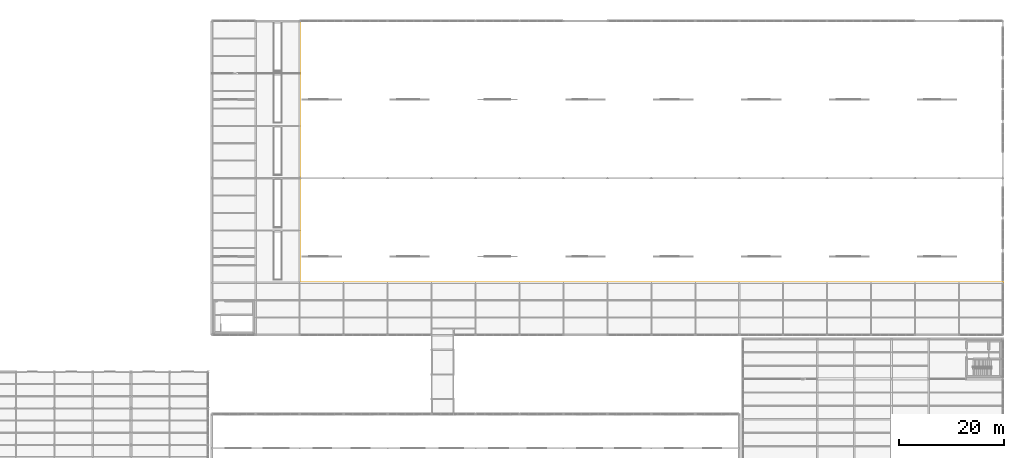
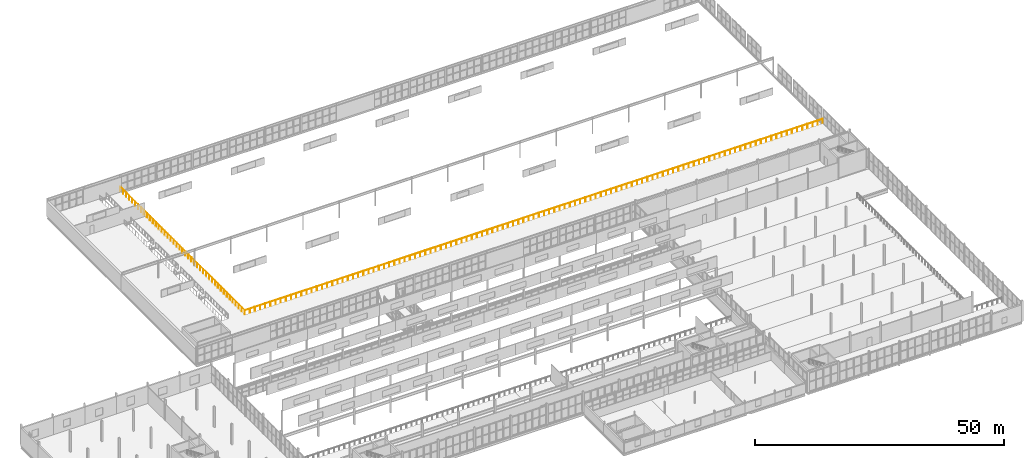
# One storey, part 218 of 218: 1 railing.
"""IFC4 building model written with IfcOpenShell, lengths in metres."""

from ifc_helpers import new_model, si_unit, direction, frame, origin, origin_2d, place, context, subcontext, project, spatial, circle, extrude, material, type_object, element, save


model = new_model("IFC4")

# Units and contexts
model_context = context("Model", 3, precision=1e-05, world=origin(), true_north=direction((0.0, 1.0)))
body_context = subcontext(model_context, "Body", "Model", "MODEL_VIEW")
ifc_project = project(units=[si_unit("LENGTHUNIT", "METRE"), si_unit("AREAUNIT", "SQUARE_METRE"), si_unit("VOLUMEUNIT", "CUBIC_METRE"), si_unit("PLANEANGLEUNIT", "RADIAN"), si_unit("MASSUNIT", "GRAM", prefix="KILO")], contexts=[model_context])

# Site, building, storey
site_placement = place(None, origin())
site = spatial("IfcSite", under=ifc_project, at=site_placement, CompositionType="ELEMENT")
building_placement = place(site_placement, origin())
building = spatial("IfcBuilding", under=site, at=building_placement, Name="Kazenagashi Tramway Depot", CompositionType="ELEMENT")
storey_placement = place(building_placement, frame((0.0, 0.0, 6.0)))
storey = spatial("IfcBuildingStorey", under=building, at=storey_placement, Name="L02", CompositionType="ELEMENT", Elevation=6.0)

# Railing
ifc_material = material(Name="Galvanised Painted Steel Balustrade", Category="steel")
railing_type = type_object("IfcRailingType", Name="GR-01", PredefinedType="GUARDRAIL", material=ifc_material)
railing_placement = place(storey_placement, frame((61.72, 130.0, 0.0)))
element("IfcRailing", 1, at=railing_placement, inside=storey, type_object=railing_type, Name="Pantograph Mezzanine Edge Guardrail", PredefinedType="GUARDRAIL", context=body_context, shape_type="SweptSolid", body=[
    extrude(circle(Radius=0.024, at=origin_2d()), frame((0.0, 0.0, 1.126), z_axis=(0.0, -1.0, 0.0), x_axis=(1.0, 0.0, 0.0)), (0.0, 0.0, 1.0), 50.0),
    extrude(circle(Radius=0.024, at=origin_2d()), frame((0.0, -50.0, 1.126), z_axis=(1.0, 0.0, 0.0), x_axis=(0.0, 1.0, 0.0)), (0.0, 0.0, 1.0), 134.28),
    extrude(circle(Radius=0.021, at=origin_2d()), origin(), (0.0, 0.0, 1.0), 1.102),
    extrude(circle(Radius=0.021, at=origin_2d()), frame((0.0, -1.190476, 0.0)), (0.0, 0.0, 1.0), 1.102),
    extrude(circle(Radius=0.021, at=origin_2d()), frame((0.0, -2.380952, 0.0)), (0.0, 0.0, 1.0), 1.102),
    extrude(circle(Radius=0.021, at=origin_2d()), frame((0.0, -3.571429, 0.0)), (0.0, 0.0, 1.0), 1.102),
    extrude(circle(Radius=0.021, at=origin_2d()), frame((0.0, -4.761905, 0.0)), (0.0, 0.0, 1.0), 1.102),
    extrude(circle(Radius=0.021, at=origin_2d()), frame((0.0, -5.952381, 0.0)), (0.0, 0.0, 1.0), 1.102),
    extrude(circle(Radius=0.021, at=origin_2d()), frame((0.0, -7.142857, 0.0)), (0.0, 0.0, 1.0), 1.102),
    extrude(circle(Radius=0.021, at=origin_2d()), frame((0.0, -8.333333, 0.0)), (0.0, 0.0, 1.0), 1.102),
    extrude(circle(Radius=0.021, at=origin_2d()), frame((0.0, -9.52381, 0.0)), (0.0, 0.0, 1.0), 1.102),
    extrude(circle(Radius=0.021, at=origin_2d()), frame((0.0, -10.714286, 0.0)), (0.0, 0.0, 1.0), 1.102),
    extrude(circle(Radius=0.021, at=origin_2d()), frame((0.0, -11.904762, 0.0)), (0.0, 0.0, 1.0), 1.102),
    extrude(circle(Radius=0.021, at=origin_2d()), frame((0.0, -13.095238, 0.0)), (0.0, 0.0, 1.0), 1.102),
    extrude(circle(Radius=0.021, at=origin_2d()), frame((0.0, -14.285714, 0.0)), (0.0, 0.0, 1.0), 1.102),
    extrude(circle(Radius=0.021, at=origin_2d()), frame((0.0, -15.47619, 0.0)), (0.0, 0.0, 1.0), 1.102),
    extrude(circle(Radius=0.021, at=origin_2d()), frame((0.0, -16.666667, 0.0)), (0.0, 0.0, 1.0), 1.102),
    extrude(circle(Radius=0.021, at=origin_2d()), frame((0.0, -17.857143, 0.0)), (0.0, 0.0, 1.0), 1.102),
    extrude(circle(Radius=0.021, at=origin_2d()), frame((0.0, -19.047619, 0.0)), (0.0, 0.0, 1.0), 1.102),
    extrude(circle(Radius=0.021, at=origin_2d()), frame((0.0, -20.238095, 0.0)), (0.0, 0.0, 1.0), 1.102),
    extrude(circle(Radius=0.021, at=origin_2d()), frame((0.0, -21.428571, 0.0)), (0.0, 0.0, 1.0), 1.102),
    extrude(circle(Radius=0.021, at=origin_2d()), frame((0.0, -22.619048, 0.0)), (0.0, 0.0, 1.0), 1.102),
    extrude(circle(Radius=0.021, at=origin_2d()), frame((0.0, -23.809524, 0.0)), (0.0, 0.0, 1.0), 1.102),
    extrude(circle(Radius=0.021, at=origin_2d()), frame((0.0, -25.0, 0.0)), (0.0, 0.0, 1.0), 1.102),
    extrude(circle(Radius=0.021, at=origin_2d()), frame((0.0, -26.190476, 0.0)), (0.0, 0.0, 1.0), 1.102),
    extrude(circle(Radius=0.021, at=origin_2d()), frame((0.0, -27.380952, 0.0)), (0.0, 0.0, 1.0), 1.102),
    extrude(circle(Radius=0.021, at=origin_2d()), frame((0.0, -28.571429, 0.0)), (0.0, 0.0, 1.0), 1.102),
    extrude(circle(Radius=0.021, at=origin_2d()), frame((0.0, -29.761905, 0.0)), (0.0, 0.0, 1.0), 1.102),
    extrude(circle(Radius=0.021, at=origin_2d()), frame((0.0, -30.952381, 0.0)), (0.0, 0.0, 1.0), 1.102),
    extrude(circle(Radius=0.021, at=origin_2d()), frame((0.0, -32.142857, 0.0)), (0.0, 0.0, 1.0), 1.102),
    extrude(circle(Radius=0.021, at=origin_2d()), frame((0.0, -33.333333, 0.0)), (0.0, 0.0, 1.0), 1.102),
    extrude(circle(Radius=0.021, at=origin_2d()), frame((0.0, -34.52381, 0.0)), (0.0, 0.0, 1.0), 1.102),
    extrude(circle(Radius=0.021, at=origin_2d()), frame((0.0, -35.714286, 0.0)), (0.0, 0.0, 1.0), 1.102),
    extrude(circle(Radius=0.021, at=origin_2d()), frame((0.0, -36.904762, 0.0)), (0.0, 0.0, 1.0), 1.102),
    extrude(circle(Radius=0.021, at=origin_2d()), frame((0.0, -38.095238, 0.0)), (0.0, 0.0, 1.0), 1.102),
    extrude(circle(Radius=0.021, at=origin_2d()), frame((0.0, -39.285714, 0.0)), (0.0, 0.0, 1.0), 1.102),
    extrude(circle(Radius=0.021, at=origin_2d()), frame((0.0, -40.47619, 0.0)), (0.0, 0.0, 1.0), 1.102),
    extrude(circle(Radius=0.021, at=origin_2d()), frame((0.0, -41.666667, 0.0)), (0.0, 0.0, 1.0), 1.102),
    extrude(circle(Radius=0.021, at=origin_2d()), frame((0.0, -42.857143, 0.0)), (0.0, 0.0, 1.0), 1.102),
    extrude(circle(Radius=0.021, at=origin_2d()), frame((0.0, -44.047619, 0.0)), (0.0, 0.0, 1.0), 1.102),
    extrude(circle(Radius=0.021, at=origin_2d()), frame((0.0, -45.238095, 0.0)), (0.0, 0.0, 1.0), 1.102),
    extrude(circle(Radius=0.021, at=origin_2d()), frame((0.0, -46.428571, 0.0)), (0.0, 0.0, 1.0), 1.102),
    extrude(circle(Radius=0.021, at=origin_2d()), frame((0.0, -47.619048, 0.0)), (0.0, 0.0, 1.0), 1.102),
    extrude(circle(Radius=0.021, at=origin_2d()), frame((0.0, -48.809524, 0.0)), (0.0, 0.0, 1.0), 1.102),
    extrude(circle(Radius=0.021, at=origin_2d()), frame((0.0, -50.0, 0.0)), (0.0, 0.0, 1.0), 1.102),
    extrude(circle(Radius=0.021, at=origin_2d()), frame((1.198929, -50.0, 0.0)), (0.0, 0.0, 1.0), 1.102),
    extrude(circle(Radius=0.021, at=origin_2d()), frame((2.397857, -50.0, 0.0)), (0.0, 0.0, 1.0), 1.102),
    extrude(circle(Radius=0.021, at=origin_2d()), frame((3.596786, -50.0, 0.0)), (0.0, 0.0, 1.0), 1.102),
    extrude(circle(Radius=0.021, at=origin_2d()), frame((4.795714, -50.0, 0.0)), (0.0, 0.0, 1.0), 1.102),
    extrude(circle(Radius=0.021, at=origin_2d()), frame((5.994643, -50.0, 0.0)), (0.0, 0.0, 1.0), 1.102),
    extrude(circle(Radius=0.021, at=origin_2d()), frame((7.193571, -50.0, 0.0)), (0.0, 0.0, 1.0), 1.102),
    extrude(circle(Radius=0.021, at=origin_2d()), frame((8.3925, -50.0, 0.0)), (0.0, 0.0, 1.0), 1.102),
    extrude(circle(Radius=0.021, at=origin_2d()), frame((9.591429, -50.0, 0.0)), (0.0, 0.0, 1.0), 1.102),
    extrude(circle(Radius=0.021, at=origin_2d()), frame((10.790357, -50.0, 0.0)), (0.0, 0.0, 1.0), 1.102),
    extrude(circle(Radius=0.021, at=origin_2d()), frame((11.989286, -50.0, 0.0)), (0.0, 0.0, 1.0), 1.102),
    extrude(circle(Radius=0.021, at=origin_2d()), frame((13.188214, -50.0, 0.0)), (0.0, 0.0, 1.0), 1.102),
    extrude(circle(Radius=0.021, at=origin_2d()), frame((14.387143, -50.0, 0.0)), (0.0, 0.0, 1.0), 1.102),
    extrude(circle(Radius=0.021, at=origin_2d()), frame((15.586071, -50.0, 0.0)), (0.0, 0.0, 1.0), 1.102),
    extrude(circle(Radius=0.021, at=origin_2d()), frame((16.785, -50.0, 0.0)), (0.0, 0.0, 1.0), 1.102),
    extrude(circle(Radius=0.021, at=origin_2d()), frame((17.983929, -50.0, 0.0)), (0.0, 0.0, 1.0), 1.102),
    extrude(circle(Radius=0.021, at=origin_2d()), frame((19.182857, -50.0, 0.0)), (0.0, 0.0, 1.0), 1.102),
    extrude(circle(Radius=0.021, at=origin_2d()), frame((20.381786, -50.0, 0.0)), (0.0, 0.0, 1.0), 1.102),
    extrude(circle(Radius=0.021, at=origin_2d()), frame((21.580714, -50.0, 0.0)), (0.0, 0.0, 1.0), 1.102),
    extrude(circle(Radius=0.021, at=origin_2d()), frame((22.779643, -50.0, 0.0)), (0.0, 0.0, 1.0), 1.102),
    extrude(circle(Radius=0.021, at=origin_2d()), frame((23.978571, -50.0, 0.0)), (0.0, 0.0, 1.0), 1.102),
    extrude(circle(Radius=0.021, at=origin_2d()), frame((25.1775, -50.0, 0.0)), (0.0, 0.0, 1.0), 1.102),
    extrude(circle(Radius=0.021, at=origin_2d()), frame((26.376429, -50.0, 0.0)), (0.0, 0.0, 1.0), 1.102),
    extrude(circle(Radius=0.021, at=origin_2d()), frame((27.575357, -50.0, 0.0)), (0.0, 0.0, 1.0), 1.102),
    extrude(circle(Radius=0.021, at=origin_2d()), frame((28.774286, -50.0, 0.0)), (0.0, 0.0, 1.0), 1.102),
    extrude(circle(Radius=0.021, at=origin_2d()), frame((29.973214, -50.0, 0.0)), (0.0, 0.0, 1.0), 1.102),
    extrude(circle(Radius=0.021, at=origin_2d()), frame((31.172143, -50.0, 0.0)), (0.0, 0.0, 1.0), 1.102),
    extrude(circle(Radius=0.021, at=origin_2d()), frame((32.371071, -50.0, 0.0)), (0.0, 0.0, 1.0), 1.102),
    extrude(circle(Radius=0.021, at=origin_2d()), frame((33.57, -50.0, 0.0)), (0.0, 0.0, 1.0), 1.102),
    extrude(circle(Radius=0.021, at=origin_2d()), frame((34.768929, -50.0, 0.0)), (0.0, 0.0, 1.0), 1.102),
    extrude(circle(Radius=0.021, at=origin_2d()), frame((35.967857, -50.0, 0.0)), (0.0, 0.0, 1.0), 1.102),
    extrude(circle(Radius=0.021, at=origin_2d()), frame((37.166786, -50.0, 0.0)), (0.0, 0.0, 1.0), 1.102),
    extrude(circle(Radius=0.021, at=origin_2d()), frame((38.365714, -50.0, 0.0)), (0.0, 0.0, 1.0), 1.102),
    extrude(circle(Radius=0.021, at=origin_2d()), frame((39.564643, -50.0, 0.0)), (0.0, 0.0, 1.0), 1.102),
    extrude(circle(Radius=0.021, at=origin_2d()), frame((40.763571, -50.0, 0.0)), (0.0, 0.0, 1.0), 1.102),
    extrude(circle(Radius=0.021, at=origin_2d()), frame((41.9625, -50.0, 0.0)), (0.0, 0.0, 1.0), 1.102),
    extrude(circle(Radius=0.021, at=origin_2d()), frame((43.161429, -50.0, 0.0)), (0.0, 0.0, 1.0), 1.102),
    extrude(circle(Radius=0.021, at=origin_2d()), frame((44.360357, -50.0, 0.0)), (0.0, 0.0, 1.0), 1.102),
    extrude(circle(Radius=0.021, at=origin_2d()), frame((45.559286, -50.0, 0.0)), (0.0, 0.0, 1.0), 1.102),
    extrude(circle(Radius=0.021, at=origin_2d()), frame((46.758214, -50.0, 0.0)), (0.0, 0.0, 1.0), 1.102),
    extrude(circle(Radius=0.021, at=origin_2d()), frame((47.957143, -50.0, 0.0)), (0.0, 0.0, 1.0), 1.102),
    extrude(circle(Radius=0.021, at=origin_2d()), frame((49.156071, -50.0, 0.0)), (0.0, 0.0, 1.0), 1.102),
    extrude(circle(Radius=0.021, at=origin_2d()), frame((50.355, -50.0, 0.0)), (0.0, 0.0, 1.0), 1.102),
    extrude(circle(Radius=0.021, at=origin_2d()), frame((51.553929, -50.0, 0.0)), (0.0, 0.0, 1.0), 1.102),
    extrude(circle(Radius=0.021, at=origin_2d()), frame((52.752857, -50.0, 0.0)), (0.0, 0.0, 1.0), 1.102),
    extrude(circle(Radius=0.021, at=origin_2d()), frame((53.951786, -50.0, 0.0)), (0.0, 0.0, 1.0), 1.102),
    extrude(circle(Radius=0.021, at=origin_2d()), frame((55.150714, -50.0, 0.0)), (0.0, 0.0, 1.0), 1.102),
    extrude(circle(Radius=0.021, at=origin_2d()), frame((56.349643, -50.0, 0.0)), (0.0, 0.0, 1.0), 1.102),
    extrude(circle(Radius=0.021, at=origin_2d()), frame((57.548571, -50.0, 0.0)), (0.0, 0.0, 1.0), 1.102),
    extrude(circle(Radius=0.021, at=origin_2d()), frame((58.7475, -50.0, 0.0)), (0.0, 0.0, 1.0), 1.102),
    extrude(circle(Radius=0.021, at=origin_2d()), frame((59.946429, -50.0, 0.0)), (0.0, 0.0, 1.0), 1.102),
    extrude(circle(Radius=0.021, at=origin_2d()), frame((61.145357, -50.0, 0.0)), (0.0, 0.0, 1.0), 1.102),
    extrude(circle(Radius=0.021, at=origin_2d()), frame((62.344286, -50.0, 0.0)), (0.0, 0.0, 1.0), 1.102),
    extrude(circle(Radius=0.021, at=origin_2d()), frame((63.543214, -50.0, 0.0)), (0.0, 0.0, 1.0), 1.102),
    extrude(circle(Radius=0.021, at=origin_2d()), frame((64.742143, -50.0, 0.0)), (0.0, 0.0, 1.0), 1.102),
    extrude(circle(Radius=0.021, at=origin_2d()), frame((65.941071, -50.0, 0.0)), (0.0, 0.0, 1.0), 1.102),
    extrude(circle(Radius=0.021, at=origin_2d()), frame((67.14, -50.0, 0.0)), (0.0, 0.0, 1.0), 1.102),
    extrude(circle(Radius=0.021, at=origin_2d()), frame((68.338929, -50.0, 0.0)), (0.0, 0.0, 1.0), 1.102),
    extrude(circle(Radius=0.021, at=origin_2d()), frame((69.537857, -50.0, 0.0)), (0.0, 0.0, 1.0), 1.102),
    extrude(circle(Radius=0.021, at=origin_2d()), frame((70.736786, -50.0, 0.0)), (0.0, 0.0, 1.0), 1.102),
    extrude(circle(Radius=0.021, at=origin_2d()), frame((71.935714, -50.0, 0.0)), (0.0, 0.0, 1.0), 1.102),
    extrude(circle(Radius=0.021, at=origin_2d()), frame((73.134643, -50.0, 0.0)), (0.0, 0.0, 1.0), 1.102),
    extrude(circle(Radius=0.021, at=origin_2d()), frame((74.333571, -50.0, 0.0)), (0.0, 0.0, 1.0), 1.102),
    extrude(circle(Radius=0.021, at=origin_2d()), frame((75.5325, -50.0, 0.0)), (0.0, 0.0, 1.0), 1.102),
    extrude(circle(Radius=0.021, at=origin_2d()), frame((76.731429, -50.0, 0.0)), (0.0, 0.0, 1.0), 1.102),
    extrude(circle(Radius=0.021, at=origin_2d()), frame((77.930357, -50.0, 0.0)), (0.0, 0.0, 1.0), 1.102),
    extrude(circle(Radius=0.021, at=origin_2d()), frame((79.129286, -50.0, 0.0)), (0.0, 0.0, 1.0), 1.102),
    extrude(circle(Radius=0.021, at=origin_2d()), frame((80.328214, -50.0, 0.0)), (0.0, 0.0, 1.0), 1.102),
    extrude(circle(Radius=0.021, at=origin_2d()), frame((81.527143, -50.0, 0.0)), (0.0, 0.0, 1.0), 1.102),
    extrude(circle(Radius=0.021, at=origin_2d()), frame((82.726071, -50.0, 0.0)), (0.0, 0.0, 1.0), 1.102),
    extrude(circle(Radius=0.021, at=origin_2d()), frame((83.925, -50.0, 0.0)), (0.0, 0.0, 1.0), 1.102),
    extrude(circle(Radius=0.021, at=origin_2d()), frame((85.123929, -50.0, 0.0)), (0.0, 0.0, 1.0), 1.102),
    extrude(circle(Radius=0.021, at=origin_2d()), frame((86.322857, -50.0, 0.0)), (0.0, 0.0, 1.0), 1.102),
    extrude(circle(Radius=0.021, at=origin_2d()), frame((87.521786, -50.0, 0.0)), (0.0, 0.0, 1.0), 1.102),
    extrude(circle(Radius=0.021, at=origin_2d()), frame((88.720714, -50.0, 0.0)), (0.0, 0.0, 1.0), 1.102),
    extrude(circle(Radius=0.021, at=origin_2d()), frame((89.919643, -50.0, 0.0)), (0.0, 0.0, 1.0), 1.102),
    extrude(circle(Radius=0.021, at=origin_2d()), frame((91.118571, -50.0, 0.0)), (0.0, 0.0, 1.0), 1.102),
    extrude(circle(Radius=0.021, at=origin_2d()), frame((92.3175, -50.0, 0.0)), (0.0, 0.0, 1.0), 1.102),
    extrude(circle(Radius=0.021, at=origin_2d()), frame((93.516429, -50.0, 0.0)), (0.0, 0.0, 1.0), 1.102),
    extrude(circle(Radius=0.021, at=origin_2d()), frame((94.715357, -50.0, 0.0)), (0.0, 0.0, 1.0), 1.102),
    extrude(circle(Radius=0.021, at=origin_2d()), frame((95.914286, -50.0, 0.0)), (0.0, 0.0, 1.0), 1.102),
    extrude(circle(Radius=0.021, at=origin_2d()), frame((97.113214, -50.0, 0.0)), (0.0, 0.0, 1.0), 1.102),
    extrude(circle(Radius=0.021, at=origin_2d()), frame((98.312143, -50.0, 0.0)), (0.0, 0.0, 1.0), 1.102),
    extrude(circle(Radius=0.021, at=origin_2d()), frame((99.511071, -50.0, 0.0)), (0.0, 0.0, 1.0), 1.102),
    extrude(circle(Radius=0.021, at=origin_2d()), frame((100.71, -50.0, 0.0)), (0.0, 0.0, 1.0), 1.102),
    extrude(circle(Radius=0.021, at=origin_2d()), frame((101.908929, -50.0, 0.0)), (0.0, 0.0, 1.0), 1.102),
    extrude(circle(Radius=0.021, at=origin_2d()), frame((103.107857, -50.0, 0.0)), (0.0, 0.0, 1.0), 1.102),
    extrude(circle(Radius=0.021, at=origin_2d()), frame((104.306786, -50.0, 0.0)), (0.0, 0.0, 1.0), 1.102),
    extrude(circle(Radius=0.021, at=origin_2d()), frame((105.505714, -50.0, 0.0)), (0.0, 0.0, 1.0), 1.102),
    extrude(circle(Radius=0.021, at=origin_2d()), frame((106.704643, -50.0, 0.0)), (0.0, 0.0, 1.0), 1.102),
    extrude(circle(Radius=0.021, at=origin_2d()), frame((107.903571, -50.0, 0.0)), (0.0, 0.0, 1.0), 1.102),
    extrude(circle(Radius=0.021, at=origin_2d()), frame((109.1025, -50.0, 0.0)), (0.0, 0.0, 1.0), 1.102),
    extrude(circle(Radius=0.021, at=origin_2d()), frame((110.301429, -50.0, 0.0)), (0.0, 0.0, 1.0), 1.102),
    extrude(circle(Radius=0.021, at=origin_2d()), frame((111.500357, -50.0, 0.0)), (0.0, 0.0, 1.0), 1.102),
    extrude(circle(Radius=0.021, at=origin_2d()), frame((112.699286, -50.0, 0.0)), (0.0, 0.0, 1.0), 1.102),
    extrude(circle(Radius=0.021, at=origin_2d()), frame((113.898214, -50.0, 0.0)), (0.0, 0.0, 1.0), 1.102),
    extrude(circle(Radius=0.021, at=origin_2d()), frame((115.097143, -50.0, 0.0)), (0.0, 0.0, 1.0), 1.102),
    extrude(circle(Radius=0.021, at=origin_2d()), frame((116.296071, -50.0, 0.0)), (0.0, 0.0, 1.0), 1.102),
    extrude(circle(Radius=0.021, at=origin_2d()), frame((117.495, -50.0, 0.0)), (0.0, 0.0, 1.0), 1.102),
    extrude(circle(Radius=0.021, at=origin_2d()), frame((118.693929, -50.0, 0.0)), (0.0, 0.0, 1.0), 1.102),
    extrude(circle(Radius=0.021, at=origin_2d()), frame((119.892857, -50.0, 0.0)), (0.0, 0.0, 1.0), 1.102),
    extrude(circle(Radius=0.021, at=origin_2d()), frame((121.091786, -50.0, 0.0)), (0.0, 0.0, 1.0), 1.102),
    extrude(circle(Radius=0.021, at=origin_2d()), frame((122.290714, -50.0, 0.0)), (0.0, 0.0, 1.0), 1.102),
    extrude(circle(Radius=0.021, at=origin_2d()), frame((123.489643, -50.0, 0.0)), (0.0, 0.0, 1.0), 1.102),
    extrude(circle(Radius=0.021, at=origin_2d()), frame((124.688571, -50.0, 0.0)), (0.0, 0.0, 1.0), 1.102),
    extrude(circle(Radius=0.021, at=origin_2d()), frame((125.8875, -50.0, 0.0)), (0.0, 0.0, 1.0), 1.102),
    extrude(circle(Radius=0.021, at=origin_2d()), frame((127.086429, -50.0, 0.0)), (0.0, 0.0, 1.0), 1.102),
    extrude(circle(Radius=0.021, at=origin_2d()), frame((128.285357, -50.0, 0.0)), (0.0, 0.0, 1.0), 1.102),
    extrude(circle(Radius=0.021, at=origin_2d()), frame((129.484286, -50.0, 0.0)), (0.0, 0.0, 1.0), 1.102),
    extrude(circle(Radius=0.021, at=origin_2d()), frame((130.683214, -50.0, 0.0)), (0.0, 0.0, 1.0), 1.102),
    extrude(circle(Radius=0.021, at=origin_2d()), frame((131.882143, -50.0, 0.0)), (0.0, 0.0, 1.0), 1.102),
    extrude(circle(Radius=0.021, at=origin_2d()), frame((133.081071, -50.0, 0.0)), (0.0, 0.0, 1.0), 1.102),
    extrude(circle(Radius=0.021, at=origin_2d()), frame((134.28, -50.0, 0.0)), (0.0, 0.0, 1.0), 1.102),
])

save(model, "model.ifc")
